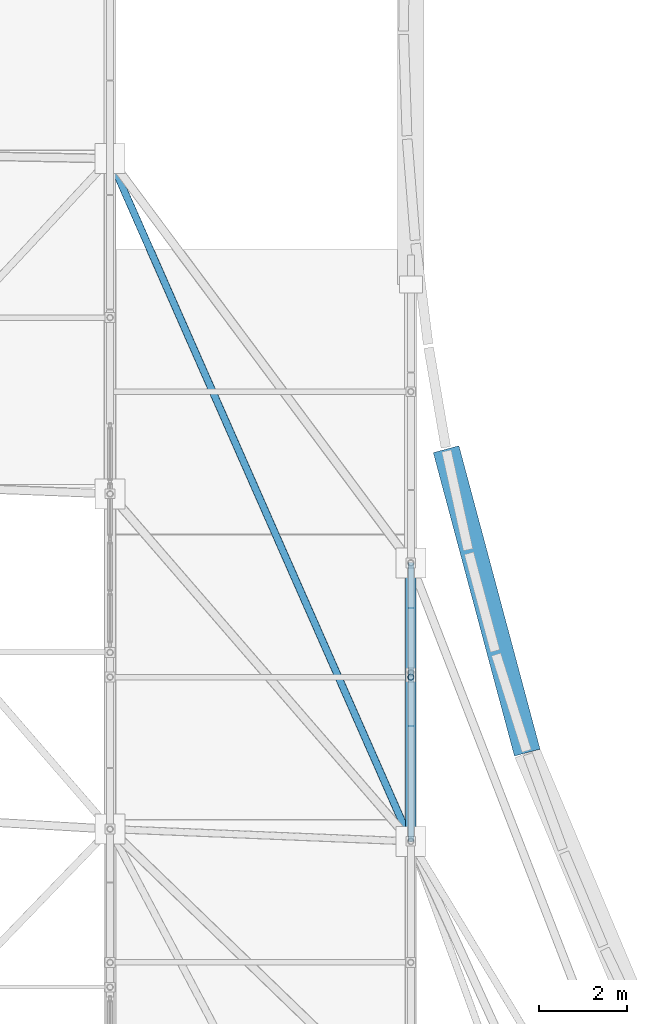
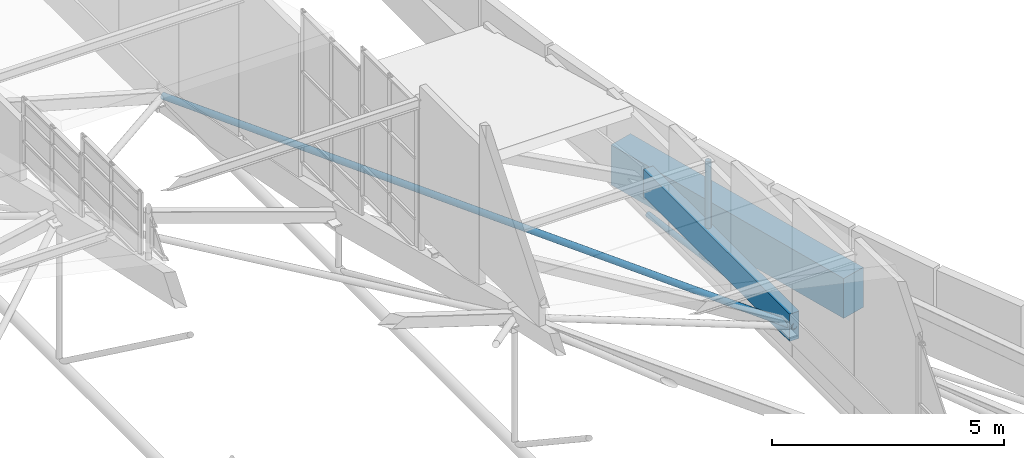
# One storey, part 55 of 188: 4 members, 1 beam.
"""IFC4 building model written with IfcOpenShell, lengths in metres."""

from ifc_helpers import new_model, si_unit, direction, frame, origin, origin_2d, place, context, subcontext, project, spatial, rectangle, hollow_circle, extrude, material, material_profile, profile_set, type_object, element, save


model = new_model("IFC4")

# Units and contexts
model_context = context("Model", 3, precision=1e-05, world=origin(), true_north=direction((0.0, 1.0)))
body_context = subcontext(model_context, "Body", "Model", "MODEL_VIEW")
ifc_project = project(units=[si_unit("LENGTHUNIT", "METRE"), si_unit("AREAUNIT", "SQUARE_METRE"), si_unit("VOLUMEUNIT", "CUBIC_METRE"), si_unit("PLANEANGLEUNIT", "RADIAN"), si_unit("MASSUNIT", "GRAM", prefix="KILO")], contexts=[model_context])

# Site, building, storey
site_placement = place(None, origin())
site = spatial("IfcSite", under=ifc_project, at=site_placement, CompositionType="ELEMENT")
building_placement = place(site_placement, origin())
building = spatial("IfcBuilding", under=site, at=building_placement, Name="Kisaragi Civic Commons", CompositionType="ELEMENT")
storey_placement = place(building_placement, frame((0.0, 0.0, 9.60009765625)))
storey = spatial("IfcBuildingStorey", under=building, at=storey_placement, Name="L02", CompositionType="ELEMENT", Elevation=9.60009765625)

# Member
ifc_material_1 = material(Name="Steel SN400 (SN400B)", Category="steel")
ifc_material_profile_1 = material_profile(ifc_material_1, hollow_circle(Radius=0.08251953125, WallThickness=0.006103515625, at=origin_2d()), Name="CHS-165.2x6.0", Category="steel")
ifc_profile_set_1 = profile_set([ifc_material_profile_1], Name="Steel SN400 (SN400B)")
member_type_1 = type_object("IfcMemberType", Name="BR-02", PredefinedType="BRACE", material=ifc_profile_set_1)
member_1_placement = place(storey_placement, frame((20.39990234375, 54.822509765625, -0.49951171875), z_axis=(0.402627756191, -0.91375814901, 0.054193496498), x_axis=(0.915102936073, 0.403220307512, 0.0)))
element("IfcMember", 1, at=member_1_placement, inside=storey, type_object=member_type_1, Name="V1 diagonal gridshell steel brace 24", PredefinedType="BRACE", context=body_context, shape_type="SweptSolid", body=[
    extrude(hollow_circle(Radius=0.08251953125, WallThickness=0.006103515625, at=origin_2d()), origin(), (0.0, 0.0, 1.0), 16.88916015625),
])

# Beam
ifc_material_2 = material(Name="Concrete Fc36", Category="concrete")
ifc_material_profile_2 = material_profile(ifc_material_2, rectangle(XDim=0.60009765625, YDim=1.050048828125, at=origin_2d()), Name="RC-600x1050", Category="concrete")
ifc_profile_set_2 = profile_set([ifc_material_profile_2], Name="Concrete Fc36")
beam_type = type_object("IfcBeamType", Name="G-06", PredefinedType="BEAM", material=ifc_profile_set_2)
beam_placement = place(storey_placement, frame((27.996826171875, 48.25537109375, -0.84521484375), z_axis=(0.258263977371, -0.966074385331, 0.0), x_axis=(0.966074385331, 0.258263977371, 0.0)))
element("IfcBeam", 2, at=beam_placement, inside=storey, type_object=beam_type, Name="L02 curved spandrel/ring girder G-06 250", PredefinedType="BEAM", context=body_context, shape_type="SweptSolid", body=[
    extrude(rectangle(XDim=0.60009765625, YDim=1.050048828125, at=origin_2d()), origin(), (0.0, 0.0, 1.0), 7.100341796875),
])

# Members
ifc_material_3 = material(Name="Glulam E120-F330", Category="wood")
ifc_material_profile_3 = material_profile(ifc_material_3, rectangle(XDim=0.239990234375, YDim=0.719970703125, at=origin_2d()), Name="GL-240x720", Category="wood")
ifc_profile_set_3 = profile_set([ifc_material_profile_3], Name="Glulam E120-F330")
member_type_2 = type_object("IfcMemberType", Name="GR-02", PredefinedType="RAFTER", material=ifc_profile_set_3)
member_2_placement = place(storey_placement, frame((27.199951171875, 39.389892578125, 0.415771484375), z_axis=(0.0, 1.0, 0.0), x_axis=(-1.0, 0.0, 0.0)))
element("IfcMember", 3, at=member_2_placement, inside=storey, type_object=member_type_2, Name="V1 glulam arch rib GR-02 39", PredefinedType="RAFTER", context=body_context, shape_type="SweptSolid", body=[
    extrude(rectangle(XDim=0.239990234375, YDim=0.719970703125, at=origin_2d()), origin(), (0.0, 0.0, 1.0), 6.29443359375),
])
ifc_material_4 = material(Name="Steel SN490 (SN490B)", Category="steel")
ifc_material_profile_4 = material_profile(ifc_material_4, hollow_circle(Radius=0.06982421875, WallThickness=0.006103515625, at=origin_2d()), Name="CHS-139.8x6.0", Category="steel")
ifc_profile_set_4 = profile_set([ifc_material_profile_4], Name="Steel SN490 (SN490B)")
member_type_3 = type_object("IfcMemberType", Name="ST-H1", PredefinedType="STRUT", material=ifc_profile_set_4)
member_3_placement = place(storey_placement, frame((27.199951171875, 45.684326171875, -0.458984375), z_axis=(0.0, -0.990480927768, 0.137650033519), x_axis=(1.0, 0.0, 0.0)))
element("IfcMember", 4, at=member_3_placement, inside=storey, type_object=member_type_3, Name="V1 tied arch truss diagonal web strut 68", PredefinedType="STRUT", context=body_context, shape_type="SweptSolid", body=[
    extrude(hollow_circle(Radius=0.06982421875, WallThickness=0.006103515625, at=origin_2d()), origin(), (0.0, 0.0, 1.0), 6.35498046875),
])
member_4_placement = place(storey_placement, frame((27.199951171875, 43.103515625, 0.415771484375), z_axis=(0.0, 0.0, 1.0), x_axis=(1.0, 0.0, 0.0)))
element("IfcMember", 5, at=member_4_placement, inside=storey, type_object=member_type_3, Name="V1 clerestory monitor horizontal tie strut 4.4.7", PredefinedType="STRUT", context=body_context, shape_type="SweptSolid", body=[
    extrude(hollow_circle(Radius=0.06982421875, WallThickness=0.006103515625, at=origin_2d()), origin(), (0.0, 0.0, 1.0), 2.118896484375),
])

save(model, "model.ifc")
